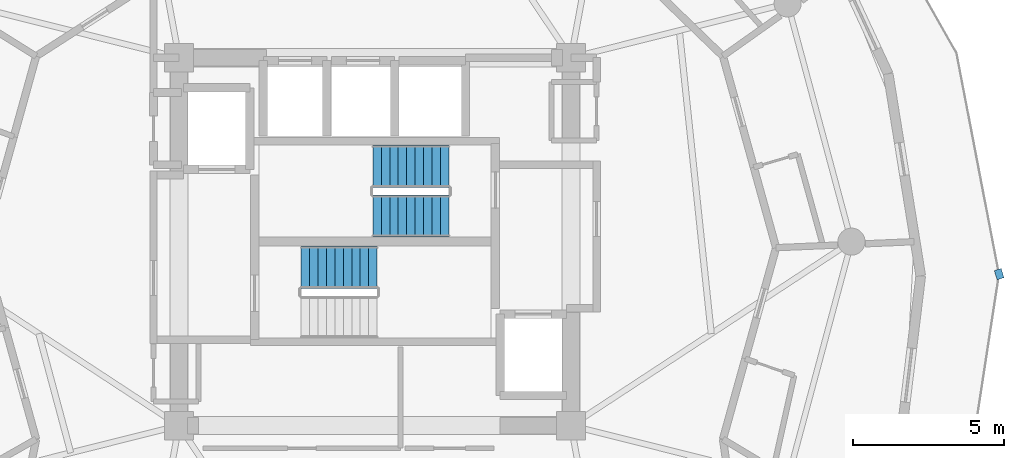
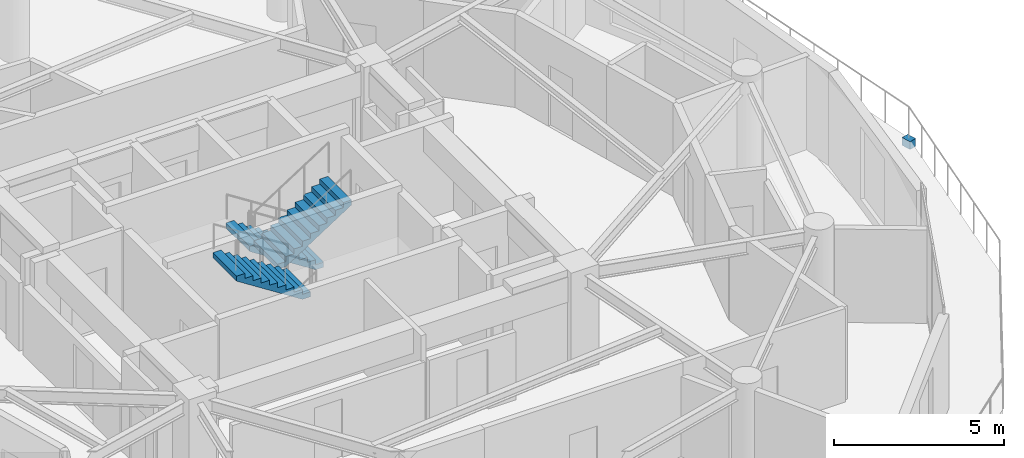
# One storey, part 20 of 22: 3 stair flights, 1 discrete accessory, 2 elements without a shape of their own.
"""IFC4 building model written with IfcOpenShell, lengths in metres."""

from ifc_helpers import new_model, si_unit, direction, frame, origin, origin_2d, place, context, subcontext, project, spatial, polyline, rectangle, outline, extrude, material, type_object, element, aggregate, save


model = new_model("IFC4")

# Units and contexts
model_context = context("Model", 3, precision=1e-05, world=origin(), true_north=direction((0.0, 1.0)))
body_context = subcontext(model_context, "Body", "Model", "MODEL_VIEW")
ifc_project = project(units=[si_unit("LENGTHUNIT", "METRE"), si_unit("AREAUNIT", "SQUARE_METRE"), si_unit("VOLUMEUNIT", "CUBIC_METRE"), si_unit("PLANEANGLEUNIT", "RADIAN"), si_unit("MASSUNIT", "GRAM", prefix="KILO")], contexts=[model_context])

# Site, building, storey
site_placement = place(None, origin())
site = spatial("IfcSite", under=ifc_project, at=site_placement, CompositionType="ELEMENT")
building_placement = place(site_placement, origin())
building = spatial("IfcBuilding", under=site, at=building_placement, Name="Solvirekh Grand Hotel", CompositionType="ELEMENT")
storey_placement = place(building_placement, frame((0.0, 0.0, 227.199951171875)))
storey = spatial("IfcBuildingStorey", under=building, at=storey_placement, Name="L59", CompositionType="ELEMENT", Elevation=227.199951171875)

# Stair, stair flight
ifc_material_1 = material(Name="Concrete C40/50", Category="concrete")
stair_type = type_object("IfcStairType", Name="Stair_Core_1450", PredefinedType="HALF_TURN_STAIR", material=ifc_material_1)
stair_1_placement = place(storey_placement, origin())
stair_1 = element("IfcStair", 1, at=stair_1_placement, inside=storey, type_object=stair_type, Name="L59 Enclosed exit stair ST-1", PredefinedType="HALF_TURN_STAIR")
stair_flight_type = type_object("IfcStairFlightType", Name="Flight_Core_1450", PredefinedType="STRAIGHT", material=ifc_material_1)
stair_flight_1_placement = place(storey_placement, frame((0.070068359375, -0.85009765625, 1.800048828125), z_axis=(0.0, 0.0, 1.0), x_axis=(-1.0, 0.0, 0.0)))
stair_flight_1 = element("IfcStairFlight", 2, at=stair_flight_1_placement, type_object=stair_flight_type, Name="ST-1 flight 2", NumberOfRisers=10, NumberOfTreads=9, PredefinedType="STRAIGHT", RiserHeight=0.18, TreadLength=0.28, context=body_context, shape_type="SweptSolid", body=[
    extrude(outline(polyline([(0.0, 0.0), (0.0, 0.179931640625), (0.280029296875, 0.179931640625), (0.280029296875, 0.360107421875), (0.56005859375, 0.360107421875), (0.56005859375, 0.5400390625), (0.840087890625, 0.5400390625), (0.840087890625, 0.719970703125), (1.1201171875, 0.719970703125), (1.1201171875, 0.89990234375), (1.39990234375, 0.89990234375), (1.39990234375, 1.080078125), (1.679931640625, 1.080078125), (1.679931640625, 1.260009765625), (1.9599609375, 1.260009765625), (1.9599609375, 1.43994140625), (2.239990234375, 1.43994140625), (2.239990234375, 1.6201171875), (2.52001953125, 1.6201171875), (2.52001953125, 1.800048828125), (2.52001953125, 1.44189453125), (0.277099609375, 0.0), (0.0, 0.0)])), frame((0.0, 0.699951171875, 0.0), z_axis=(0.0, -1.0, 0.0), x_axis=(1.0, 0.0, 0.0)), (0.0, 0.0, 1.0), 1.39990234375),
])
aggregate(stair_1, [stair_flight_1])

# Stair, stair flights
stair_2_placement = place(storey_placement, origin())
stair_2 = element("IfcStair", 3, at=stair_2_placement, inside=storey, type_object=stair_type, Name="L59 Enclosed exit stair ST-2", PredefinedType="HALF_TURN_STAIR")
stair_flight_2_placement = place(storey_placement, frame((2.449951171875, 2.5, 0.0), z_axis=(0.0, 0.0, 1.0), x_axis=(-1.0, 0.0, 0.0)))
stair_flight_2 = element("IfcStairFlight", 4, at=stair_flight_2_placement, type_object=stair_flight_type, Name="ST-2 flight 1", NumberOfRisers=10, NumberOfTreads=9, PredefinedType="STRAIGHT", RiserHeight=0.18, TreadLength=0.28, context=body_context, shape_type="SweptSolid", body=[
    extrude(outline(polyline([(0.0, 0.0), (0.0, 0.179931640625), (0.280029296875, 0.179931640625), (0.280029296875, 0.360107421875), (0.56005859375, 0.360107421875), (0.56005859375, 0.5400390625), (0.840087890625, 0.5400390625), (0.840087890625, 0.719970703125), (1.1201171875, 0.719970703125), (1.1201171875, 0.89990234375), (1.39990234375, 0.89990234375), (1.39990234375, 1.080078125), (1.679931640625, 1.080078125), (1.679931640625, 1.260009765625), (1.9599609375, 1.260009765625), (1.9599609375, 1.43994140625), (2.239990234375, 1.43994140625), (2.239990234375, 1.6201171875), (2.52001953125, 1.6201171875), (2.52001953125, 1.800048828125), (2.52001953125, 1.44189453125), (0.277099609375, 0.0), (0.0, 0.0)])), frame((0.0, 0.699951171875, 0.0), z_axis=(0.0, -1.0, 0.0), x_axis=(1.0, 0.0, 0.0)), (0.0, 0.0, 1.0), 1.39990234375),
])
stair_flight_3_placement = place(storey_placement, frame((-0.070068359375, 0.85009765625, 1.800048828125), z_axis=(0.0, 0.0, 1.0), x_axis=(1.0, 0.0, 0.0)))
stair_flight_3 = element("IfcStairFlight", 5, at=stair_flight_3_placement, type_object=stair_flight_type, Name="ST-2 flight 2", NumberOfRisers=10, NumberOfTreads=9, PredefinedType="STRAIGHT", RiserHeight=0.18, TreadLength=0.28, context=body_context, shape_type="SweptSolid", body=[
    extrude(outline(polyline([(0.0, 0.0), (0.0, 0.179931640625), (0.280029296875, 0.179931640625), (0.280029296875, 0.360107421875), (0.56005859375, 0.360107421875), (0.56005859375, 0.5400390625), (0.840087890625, 0.5400390625), (0.840087890625, 0.719970703125), (1.1201171875, 0.719970703125), (1.1201171875, 0.89990234375), (1.39990234375, 0.89990234375), (1.39990234375, 1.080078125), (1.679931640625, 1.080078125), (1.679931640625, 1.260009765625), (1.9599609375, 1.260009765625), (1.9599609375, 1.43994140625), (2.239990234375, 1.43994140625), (2.239990234375, 1.6201171875), (2.52001953125, 1.6201171875), (2.52001953125, 1.800048828125), (2.52001953125, 1.44189453125), (0.277099609375, 0.0), (0.0, 0.0)])), frame((0.0, 0.699951171875, 0.0), z_axis=(0.0, -1.0, 0.0), x_axis=(1.0, 0.0, 0.0)), (0.0, 0.0, 1.0), 1.39990234375),
])
aggregate(stair_2, [stair_flight_2, stair_flight_3])

# Discrete accessory
ifc_material_2 = material(Name="Steel S355", Category="steel")
discrete_accessory_type = type_object("IfcDiscreteAccessoryType", Name="Acc_ThermalBracket", PredefinedType="BRACKET", material=ifc_material_2)
discrete_accessory_placement = place(storey_placement, frame((20.696044921875, -1.076904296875, -0.27978515625), z_axis=(0.0, 0.0, 1.0), x_axis=(0.292371704723, -0.956304755963, 0.0)))
element("IfcDiscreteAccessory", 6, at=discrete_accessory_placement, inside=storey, type_object=discrete_accessory_type, Name="L59 balcony thermal-break bracket", PredefinedType="BRACKET", context=body_context, shape_type="SweptSolid", body=[
    extrude(rectangle(XDim=0.320068359375, YDim=0.239990234375, at=origin_2d()), origin(), (0.0, 0.0, 1.0), 0.280029296875),
])

save(model, "model.ifc")
